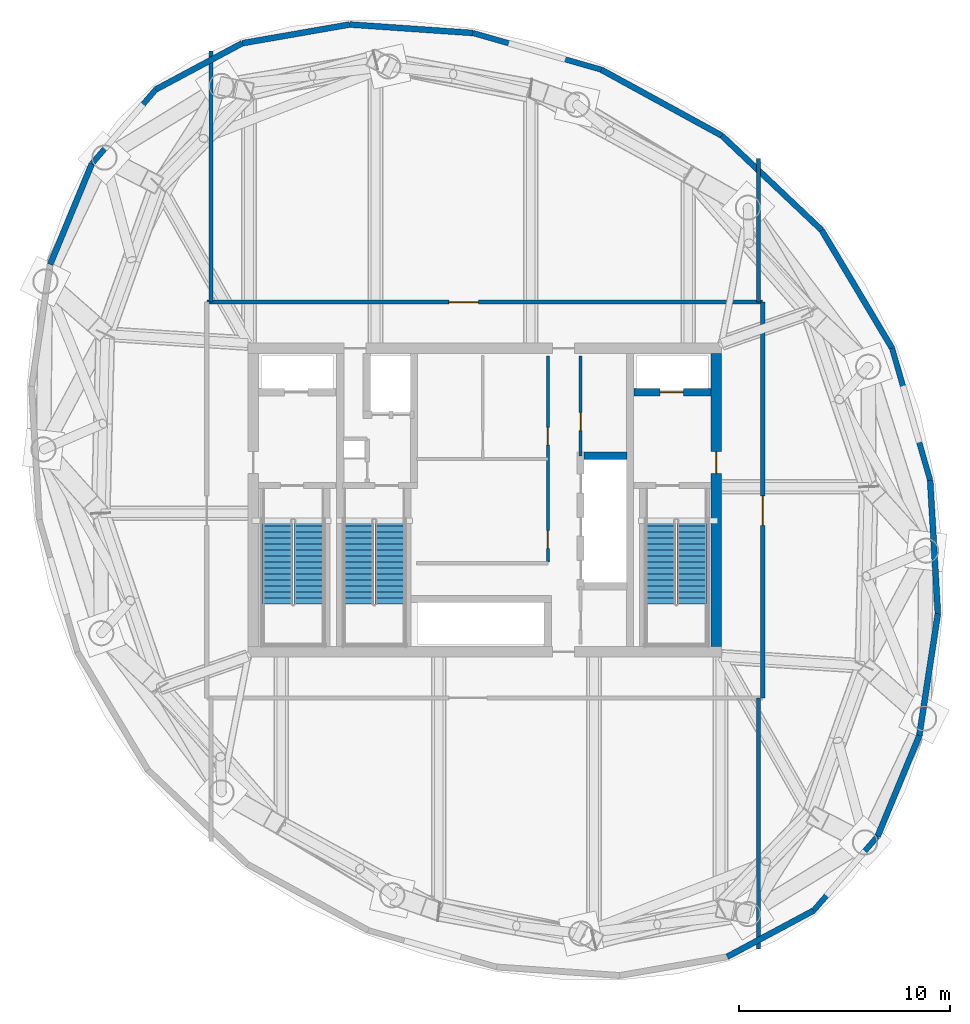
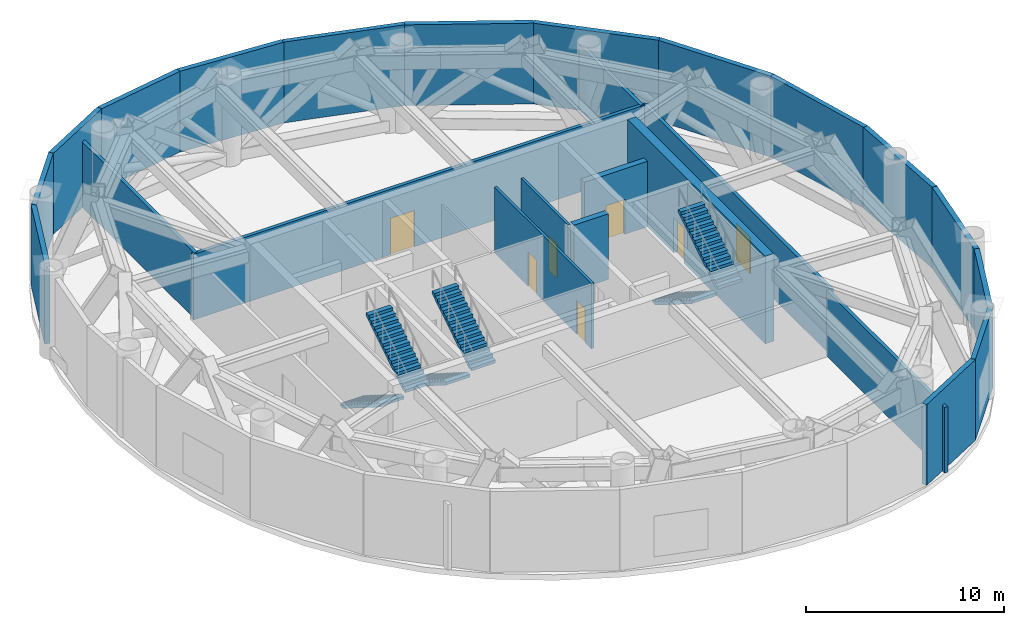
# One storey, part 6 of 9: 25 walls, 7 doors, 6 stair flights, 7 openings, 3 elements without a shape of their own.
"""IFC4 building model written with IfcOpenShell, lengths in metres."""

from ifc_helpers import new_model, si_unit, direction, frame, frame_2d, origin, place, context, subcontext, project, spatial, polyline, rectangle, outline, extrude, material, layer, layer_set, type_object, element, fill, aggregate, save


model = new_model("IFC4")

# Units and contexts
model_context = context("Model", 3, precision=1e-05, world=origin(), true_north=direction((0.0, 1.0)))
body_context = subcontext(model_context, "Body", "Model", "MODEL_VIEW")
ifc_project = project(units=[si_unit("LENGTHUNIT", "METRE"), si_unit("AREAUNIT", "SQUARE_METRE"), si_unit("VOLUMEUNIT", "CUBIC_METRE"), si_unit("PLANEANGLEUNIT", "RADIAN"), si_unit("MASSUNIT", "GRAM", prefix="KILO")], contexts=[model_context])

# Site, building, storey
site_placement = place(None, origin())
site = spatial("IfcSite", under=ifc_project, at=site_placement, CompositionType="ELEMENT")
building_placement = place(site_placement, origin())
building = spatial("IfcBuilding", under=site, at=building_placement, Name="Bramvorn Convention Spire", CompositionType="ELEMENT")
storey_placement = place(building_placement, frame((0.0, 0.0, 236.64990234375)))
storey = spatial("IfcBuildingStorey", under=building, at=storey_placement, Name="L60", CompositionType="ELEMENT", Elevation=236.64990234375)

# Wall, opening, door
ifc_material_1 = material(Name="Concrete C50/60", Category="concrete")
ifc_layer_1 = layer(ifc_material_1, 0.5)
ifc_layer_set_1 = layer_set([ifc_layer_1], Name="Concrete C50/60 - WL-CORE-500")
wall_type_1 = type_object("IfcWallType", Name="WL-CORE-500", PredefinedType="SHEAR", material=ifc_layer_set_1)
wall_1_placement = place(storey_placement, frame((49.0, 19.050048828125, 0.0), z_axis=(0.0, 0.0, 1.0), x_axis=(0.0, 1.0, 0.0)))
wall_1 = element("IfcWall", 1, at=wall_1_placement, inside=storey, type_object=wall_type_1, Name="L60 East RC core shear wall", PredefinedType="SHEAR", context=body_context, shape_type="SweptSolid", body=[
    extrude(rectangle(XDim=13.89990234375, YDim=0.5, at=frame_2d((6.949951171875, 0.0))), origin(), (0.0, 0.0, 1.0), 5.400146484375),
])
opening_1_placement = place(wall_1_placement, frame((8.199951171875, 0.0, 0.0)))
opening_1 = element("IfcOpeningElement", 2, at=opening_1_placement, cuts=wall_1, Name="Opening DL-105", PredefinedType="OPENING", context=body_context, shape_type="SweptSolid", body=[
    extrude(rectangle(XDim=1.050048828125, YDim=2.14990234375, at=frame_2d((0.52490234375, 1.074951171875))), frame((0.0, 0.260009765625, 0.0), z_axis=(0.0, -1.0, 0.0), x_axis=(1.0, 0.0, 0.0)), (0.0, 0.0, 1.0), 0.52001953125),
])
ifc_material_2 = material(Name="Smoke-Sealed Fire Lobby Timber-Core Door", Category="wood")
door_type_1 = type_object("IfcDoorType", Name="DR-LOBBY-1050", OperationType="NOTDEFINED", PredefinedType="DOOR", material=ifc_material_2)
door_1_placement = place(opening_1_placement, origin())
door_1 = element("IfcDoor", 3, at=door_1_placement, inside=storey, type_object=door_type_1, Name="L60 East Firefighting Lobby corridor door", OperationType="SINGLE_SWING_LEFT", OverallHeight=2.14990234375, OverallWidth=1.050048828125, PredefinedType="DOOR", context=body_context, shape_type="SweptSolid", body=[
    extrude(rectangle(XDim=1.050048828125, YDim=2.14990234375, at=frame_2d((0.52490234375, 1.074951171875))), frame((0.0, 0.02490234375, 0.0), z_axis=(0.0, -1.0, 0.0), x_axis=(1.0, 0.0, 0.0)), (0.0, 0.0, 1.0), 0.050048828125),
])
fill(opening_1, door_1)

ifc_layer_2 = layer(ifc_material_1, 0.35009765625)
ifc_layer_set_2 = layer_set([ifc_layer_2], Name="Concrete C50/60 - WL-CORE-INT-350")
wall_type_2 = type_object("IfcWallType", Name="WL-CORE-INT-350", PredefinedType="SHEAR", material=ifc_layer_set_2)
wall_2_placement = place(storey_placement, frame((45.080078125, 31.1201171875, 0.0), z_axis=(0.0, 0.0, 1.0), x_axis=(1.0, 0.0, 0.0)))
wall_2 = element("IfcWall", 4, at=wall_2_placement, inside=storey, type_object=wall_type_2, Name="L60 FE2 shaft front wall", PredefinedType="SHEAR", context=body_context, shape_type="SweptSolid", body=[
    extrude(rectangle(XDim=3.669921875, YDim=0.35009765625, at=frame_2d((1.8349609375, 0.0))), origin(), (0.0, 0.0, 1.0), 4.0400390625),
])
opening_2_placement = place(wall_2_placement, frame((1.25, 0.0, 0.0)))
opening_2 = element("IfcOpeningElement", 5, at=opening_2_placement, cuts=wall_2, Name="Opening LD-110", PredefinedType="OPENING", context=body_context, shape_type="SweptSolid", body=[
    extrude(rectangle(XDim=1.10009765625, YDim=2.14990234375, at=frame_2d((0.550048828125, 1.074951171875))), frame((0.0, 0.18505859375, 0.0), z_axis=(0.0, -1.0, 0.0), x_axis=(1.0, 0.0, 0.0)), (0.0, 0.0, 1.0), 0.3701171875),
])
ifc_material_3 = material(Name="Firefighting & Service Lift Sliding Landing Door", Category="steel")
door_type_2 = type_object("IfcDoorType", Name="DR-LIFT-LD-1100", OperationType="NOTDEFINED", PredefinedType="DOOR", material=ifc_material_3)
door_2_placement = place(opening_2_placement, origin())
door_2 = element("IfcDoor", 6, at=door_2_placement, inside=storey, type_object=door_type_2, Name="L60 Lift FE2 Sliding Landing Door", OperationType="SLIDING_TO_LEFT", OverallHeight=2.14990234375, OverallWidth=1.10009765625, PredefinedType="DOOR", context=body_context, shape_type="SweptSolid", body=[
    extrude(rectangle(XDim=1.10009765625, YDim=2.14990234375, at=frame_2d((0.550048828125, 1.074951171875))), frame((0.0, 0.02490234375, 0.0), z_axis=(0.0, -1.0, 0.0), x_axis=(1.0, 0.0, 0.0)), (0.0, 0.0, 1.0), 0.050048828125),
])
fill(opening_2, door_2)

# Walls
wall_3_placement = place(storey_placement, frame((42.719970703125, 28.10009765625, 0.0), z_axis=(0.0, 0.0, 1.0), x_axis=(1.0, 0.0, 0.0)))
element("IfcWall", 7, at=wall_3_placement, inside=storey, type_object=wall_type_2, Name="L60 High-rise lift bank north wall", PredefinedType="SHEAR", context=body_context, shape_type="SweptSolid", body=[
    extrude(rectangle(XDim=2.030029296875, YDim=0.35009765625, at=frame_2d((1.01513671875, 0.0))), origin(), (0.0, 0.0, 1.0), 4.0400390625),
])
ifc_material_4 = material(Name="Precast Concrete C40/50 with Bronze Terracotta Rainscreen", Category="masonry")
ifc_layer_3 = layer(ifc_material_4, 0.300048828125)
ifc_layer_set_3 = layer_set([ifc_layer_3], Name="Precast Concrete C40/50 with Bronze Terracotta Rainscreen - WL-EXT-BRONZE-300")
wall_type_3 = type_object("IfcWallType", Name="WL-EXT-BRONZE-300", PredefinedType="SOLIDWALL", material=ifc_layer_set_3)
wall_4_placement = place(storey_placement, frame((58.635986328125, 14.81298828125, 0.0), z_axis=(0.0, 0.0, 1.0), x_axis=(-0.382579387881, -0.923922622284, 0.0)))
element("IfcWall", 8, at=wall_4_placement, inside=storey, type_object=wall_type_3, Name="L60 expressed bronze Gothic lancet pier wall 02", PredefinedType="SOLIDWALL", context=body_context, shape_type="SweptSolid", body=[
    extrude(rectangle(XDim=5.17919921875, YDim=0.280029296875, at=frame_2d((2.589599609375, 0.0))), origin(), (0.0, 0.0, 1.0), 4.97998046875),
])
wall_5_placement = place(storey_placement, frame((59.51806640625, 20.606201171875, 0.0), z_axis=(0.0, 0.0, 1.0), x_axis=(-0.150526090897, -0.988606036781, 0.0)))
element("IfcWall", 9, at=wall_5_placement, inside=storey, type_object=wall_type_3, Name="L60 expressed bronze Gothic lancet pier wall 03", PredefinedType="SOLIDWALL", context=body_context, shape_type="SweptSolid", body=[
    extrude(rectangle(XDim=5.85986328125, YDim=0.280029296875, at=frame_2d((2.929931640625, 0.0))), origin(), (0.0, 0.0, 1.0), 4.97998046875),
])
wall_6_placement = place(storey_placement, frame((59.150390625, 26.940673828125, 0.0), z_axis=(0.0, 0.0, 1.0), x_axis=(0.057946099127, -0.998319713116, 0.0)))
element("IfcWall", 10, at=wall_6_placement, inside=storey, type_object=wall_type_3, Name="L60 expressed bronze Gothic lancet pier wall 04", PredefinedType="SOLIDWALL", context=body_context, shape_type="SweptSolid", body=[
    extrude(rectangle(XDim=6.34521484375, YDim=0.280029296875, at=frame_2d((3.172607421875, 0.0))), origin(), (0.0, 0.0, 1.0), 4.97998046875),
])
wall_7_placement = place(storey_placement, frame((53.99755859375, 38.81640625, 0.0), z_axis=(0.0, 0.0, 1.0), x_axis=(0.512337833972, -0.858783991397, 0.0)))
element("IfcWall", 11, at=wall_7_placement, inside=storey, type_object=wall_type_3, Name="L60 expressed bronze Gothic lancet pier wall 06", PredefinedType="SOLIDWALL", context=body_context, shape_type="SweptSolid", body=[
    extrude(rectangle(XDim=6.52685546875, YDim=0.280029296875, at=frame_2d((3.263427734375, 0.0))), origin(), (0.0, 0.0, 1.0), 4.97998046875),
])
wall_8_placement = place(storey_placement, frame((49.256591796875, 43.302490234375, 0.0), z_axis=(0.0, 0.0, 1.0), x_axis=(0.726362423444, -0.687311886852, 0.0)))
element("IfcWall", 12, at=wall_8_placement, inside=storey, type_object=wall_type_3, Name="L60 expressed bronze Gothic lancet pier wall 07", PredefinedType="SOLIDWALL", context=body_context, shape_type="SweptSolid", body=[
    extrude(rectangle(XDim=6.527099609375, YDim=0.280029296875, at=frame_2d((3.263671875, 0.0))), origin(), (0.0, 0.0, 1.0), 4.97998046875),
])
wall_9_placement = place(storey_placement, frame((43.531982421875, 46.435791015625, 0.0), z_axis=(0.0, 0.0, 1.0), x_axis=(0.877199815451, -0.480125487526, 0.0)))
element("IfcWall", 13, at=wall_9_placement, inside=storey, type_object=wall_type_3, Name="L60 expressed bronze Gothic lancet pier wall 08", PredefinedType="SOLIDWALL", context=body_context, shape_type="SweptSolid", body=[
    extrude(rectangle(XDim=6.526123046875, YDim=0.280029296875, at=frame_2d((3.26318359375, 0.0))), origin(), (0.0, 0.0, 1.0), 4.97998046875),
])
wall_10_placement = place(storey_placement, frame((31.583984375, 48.57958984375, 0.0), z_axis=(0.0, 0.0, 1.0), x_axis=(0.997631610149, -0.068783504066, 0.0)))
element("IfcWall", 14, at=wall_10_placement, inside=storey, type_object=wall_type_3, Name="L60 expressed bronze Gothic lancet pier wall 10", PredefinedType="SOLIDWALL", context=body_context, shape_type="SweptSolid", body=[
    extrude(rectangle(XDim=5.860107421875, YDim=0.280029296875, at=frame_2d((2.93017578125, 0.0))), origin(), (0.0, 0.0, 1.0), 4.97998046875),
])
wall_11_placement = place(storey_placement, frame((26.481689453125, 47.689453125, 0.0), z_axis=(0.0, 0.0, 1.0), x_axis=(0.985120975094, 0.171862341509, 0.0)))
element("IfcWall", 15, at=wall_11_placement, inside=storey, type_object=wall_type_3, Name="L60 expressed bronze Gothic lancet pier wall 11", PredefinedType="SOLIDWALL", context=body_context, shape_type="SweptSolid", body=[
    extrude(rectangle(XDim=5.179443359375, YDim=0.280029296875, at=frame_2d((2.58984375, 0.0))), origin(), (0.0, 0.0, 1.0), 4.97998046875),
])
wall_12_placement = place(storey_placement, frame((22.38134765625, 45.4951171875, 0.0), z_axis=(0.0, 0.0, 1.0), x_axis=(0.88168357973, 0.471841144067, 0.0)))
element("IfcWall", 16, at=wall_12_placement, inside=storey, type_object=wall_type_3, Name="L60 expressed bronze Gothic lancet pier wall 12", PredefinedType="SOLIDWALL", context=body_context, shape_type="SweptSolid", body=[
    extrude(rectangle(XDim=4.650634765625, YDim=0.280029296875, at=frame_2d((2.3251953125, 0.0))), origin(), (0.0, 0.0, 1.0), 4.97998046875),
])
wall_13_placement = place(storey_placement, frame((17.364013671875, 37.18701171875, 0.0), z_axis=(0.0, 0.0, 1.0), x_axis=(0.382579387881, 0.923922622284, 0.0)))
element("IfcWall", 17, at=wall_13_placement, inside=storey, type_object=wall_type_3, Name="L60 expressed bronze Gothic lancet pier wall 14", PredefinedType="SOLIDWALL", context=body_context, shape_type="SweptSolid", body=[
    extrude(rectangle(XDim=5.17919921875, YDim=0.280029296875, at=frame_2d((2.589599609375, 0.0))), origin(), (0.0, 0.0, 1.0), 4.97998046875),
])
wall_14_placement = place(storey_placement, frame((53.61865234375, 6.5048828125, 0.0), z_axis=(0.0, 0.0, 1.0), x_axis=(-0.88168357973, -0.471841144067, 0.0)))
element("IfcWall", 18, at=wall_14_placement, inside=storey, type_object=wall_type_3, Name="L60 expressed bronze Gothic lancet pier wall 24", PredefinedType="SOLIDWALL", context=body_context, shape_type="SweptSolid", body=[
    extrude(rectangle(XDim=4.650634765625, YDim=0.280029296875, at=frame_2d((2.3251953125, 0.0))), origin(), (0.0, 0.0, 1.0), 4.97998046875),
])
ifc_material_5 = material(Name="Precast Concrete C40/50 Insulated Terrace Wall", Category="concrete")
ifc_layer_4 = layer(ifc_material_5, 0.280029296875)
ifc_layer_set_4 = layer_set([ifc_layer_4], Name="Precast Concrete C40/50 Insulated Terrace Wall - WL-EXT-TERR-280")
wall_type_4 = type_object("IfcWallType", Name="WL-EXT-TERR-280", PredefinedType="SOLIDWALL", material=ifc_layer_set_4)
wall_15_placement = place(storey_placement, frame((56.654541015625, 10.02783203125, 0.0), z_axis=(0.0, 0.0, 1.0), x_axis=(-0.65279941613, -0.757530806173, 0.0)))
element("IfcWall", 19, at=wall_15_placement, inside=storey, type_object=wall_type_4, Name="L60 plant floor acoustic louvre breast wall 01", PredefinedType="SOLIDWALL", context=body_context, shape_type="SweptSolid", body=[
    extrude(rectangle(XDim=4.650634765625, YDim=0.260009765625, at=frame_2d((2.3251953125, 0.0))), origin(), (0.0, 0.0, 1.0), 4.97998046875),
])
wall_16_placement = place(storey_placement, frame((57.341552734375, 33.211181640625, 0.0), z_axis=(0.0, 0.0, 1.0), x_axis=(0.277165964475, -0.960822058519, 0.0)))
element("IfcWall", 20, at=wall_16_placement, inside=storey, type_object=wall_type_4, Name="L60 plant floor acoustic louvre breast wall 05", PredefinedType="SOLIDWALL", context=body_context, shape_type="SweptSolid", body=[
    extrude(rectangle(XDim=6.526123046875, YDim=0.260009765625, at=frame_2d((3.26318359375, 0.0))), origin(), (0.0, 0.0, 1.0), 4.97998046875),
])
wall_17_placement = place(storey_placement, frame((37.43017578125, 48.176513671875, 0.0), z_axis=(0.0, 0.0, 1.0), x_axis=(0.961634216747, -0.274334892386, 0.0)))
element("IfcWall", 21, at=wall_17_placement, inside=storey, type_object=wall_type_4, Name="L60 plant floor acoustic louvre breast wall 09", PredefinedType="SOLIDWALL", context=body_context, shape_type="SweptSolid", body=[
    extrude(rectangle(XDim=6.34521484375, YDim=0.260009765625, at=frame_2d((3.172607421875, 0.0))), origin(), (0.0, 0.0, 1.0), 4.97998046875),
])
wall_18_placement = place(storey_placement, frame((19.345458984375, 41.97216796875, 0.0), z_axis=(0.0, 0.0, 1.0), x_axis=(0.65279941613, 0.757530806173, 0.0)))
element("IfcWall", 22, at=wall_18_placement, inside=storey, type_object=wall_type_4, Name="L60 plant floor acoustic louvre breast wall 13", PredefinedType="SOLIDWALL", context=body_context, shape_type="SweptSolid", body=[
    extrude(rectangle(XDim=4.650634765625, YDim=0.260009765625, at=frame_2d((2.3251953125, 0.0))), origin(), (0.0, 0.0, 1.0), 4.97998046875),
])

# Wall, openings, doors
ifc_material_6 = material(Name="Acoustic Metal-Stud Tenant/Corridor Partition", Category="gypsum")
ifc_layer_5 = layer(ifc_material_6, 0.14990234375)
ifc_layer_set_5 = layer_set([ifc_layer_5], Name="Acoustic Metal-Stud Tenant/Corridor Partition - WL-PART-150")
wall_type_5 = type_object("IfcWallType", Name="WL-PART-150", PredefinedType="PARTITIONING", material=ifc_layer_set_5)
wall_19_placement = place(storey_placement, frame((41.0, 23.050048828125, 0.0), z_axis=(0.0, 0.0, 1.0), x_axis=(0.0, 1.0, 0.0)))
wall_19 = element("IfcWall", 23, at=wall_19_placement, inside=storey, type_object=wall_type_5, Name="L60 Core room east wall", PredefinedType="PARTITIONING", context=body_context, shape_type="SweptSolid", body=[
    extrude(rectangle(XDim=9.800048828125, YDim=0.14990234375, at=frame_2d((4.89990234375, 0.0))), origin(), (0.0, 0.0, 1.0), 4.0400390625),
])
opening_3_placement = place(wall_19_placement, frame((0.64990234375, 0.0, 0.0)))
opening_3 = element("IfcOpeningElement", 24, at=opening_3_placement, cuts=wall_19, Name="Opening DC-085", PredefinedType="OPENING", context=body_context, shape_type="SweptSolid", body=[
    extrude(rectangle(XDim=0.85009765625, YDim=2.10009765625, at=frame_2d((0.425048828125, 1.050048828125))), frame((0.0, 0.0849609375, 0.0), z_axis=(0.0, -1.0, 0.0), x_axis=(1.0, 0.0, 0.0)), (0.0, 0.0, 1.0), 0.169921875),
])
opening_4_placement = place(wall_19_placement, frame((5.550048828125, 0.0, 0.0)))
opening_4 = element("IfcOpeningElement", 25, at=opening_4_placement, cuts=wall_19, Name="Opening DC-085", PredefinedType="OPENING", context=body_context, shape_type="SweptSolid", body=[
    extrude(rectangle(XDim=0.85009765625, YDim=2.10009765625, at=frame_2d((0.425048828125, 1.050048828125))), frame((0.0, 0.0849609375, 0.0), z_axis=(0.0, -1.0, 0.0), x_axis=(1.0, 0.0, 0.0)), (0.0, 0.0, 1.0), 0.169921875),
])
ifc_material_7 = material(Name="Fire-Rated Core Washroom & IDF Door", Category="wood")
door_type_3 = type_object("IfcDoorType", Name="DR-CORE-850", OperationType="NOTDEFINED", PredefinedType="DOOR", material=ifc_material_7)
door_3_placement = place(opening_3_placement, origin())
door_3 = element("IfcDoor", 26, at=door_3_placement, inside=storey, type_object=door_type_3, Name="L60 Core room 1 door", OperationType="SINGLE_SWING_LEFT", OverallHeight=2.10009765625, OverallWidth=0.85009765625, PredefinedType="DOOR", context=body_context, shape_type="SweptSolid", body=[
    extrude(rectangle(XDim=0.85009765625, YDim=2.10009765625, at=frame_2d((0.425048828125, 1.050048828125))), frame((0.0, 0.02490234375, 0.0), z_axis=(0.0, -1.0, 0.0), x_axis=(1.0, 0.0, 0.0)), (0.0, 0.0, 1.0), 0.050048828125),
])
fill(opening_3, door_3)
door_4_placement = place(opening_4_placement, origin())
door_4 = element("IfcDoor", 27, at=door_4_placement, inside=storey, type_object=door_type_3, Name="L60 Core room 2 door", OperationType="SINGLE_SWING_LEFT", OverallHeight=2.10009765625, OverallWidth=0.85009765625, PredefinedType="DOOR", context=body_context, shape_type="SweptSolid", body=[
    extrude(rectangle(XDim=0.85009765625, YDim=2.10009765625, at=frame_2d((0.425048828125, 1.050048828125))), frame((0.0, 0.02490234375, 0.0), z_axis=(0.0, -1.0, 0.0), x_axis=(1.0, 0.0, 0.0)), (0.0, 0.0, 1.0), 0.050048828125),
])
fill(opening_4, door_4)

# Wall, opening, door
wall_20_placement = place(storey_placement, frame((42.550048828125, 28.10009765625, 0.0), z_axis=(0.0, 0.0, 1.0), x_axis=(0.0, 1.0, 0.0)))
wall_20 = element("IfcWall", 28, at=wall_20_placement, inside=storey, type_object=wall_type_5, Name="L60 Core NE store wall", PredefinedType="PARTITIONING", context=body_context, shape_type="SweptSolid", body=[
    extrude(rectangle(XDim=4.75, YDim=0.14990234375, at=frame_2d((2.375, 0.0))), origin(), (0.0, 0.0, 1.0), 4.0400390625),
])
opening_5_placement = place(wall_20_placement, frame((1.199951171875, 0.0, 0.0)))
opening_5 = element("IfcOpeningElement", 29, at=opening_5_placement, cuts=wall_20, Name="Opening DC-085", PredefinedType="OPENING", context=body_context, shape_type="SweptSolid", body=[
    extrude(rectangle(XDim=0.85009765625, YDim=2.10009765625, at=frame_2d((0.425048828125, 1.050048828125))), frame((0.0, 0.0849609375, 0.0), z_axis=(0.0, -1.0, 0.0), x_axis=(1.0, 0.0, 0.0)), (0.0, 0.0, 1.0), 0.169921875),
])
door_5_placement = place(opening_5_placement, origin())
door_5 = element("IfcDoor", 30, at=door_5_placement, inside=storey, type_object=door_type_3, Name="L60 Core NE store door", OperationType="SINGLE_SWING_LEFT", OverallHeight=2.10009765625, OverallWidth=0.85009765625, PredefinedType="DOOR", context=body_context, shape_type="SweptSolid", body=[
    extrude(rectangle(XDim=0.85009765625, YDim=2.10009765625, at=frame_2d((0.425048828125, 1.050048828125))), frame((0.0, 0.02490234375, 0.0), z_axis=(0.0, -1.0, 0.0), x_axis=(1.0, 0.0, 0.0)), (0.0, 0.0, 1.0), 0.050048828125),
])
fill(opening_5, door_5)

ifc_material_8 = material(Name="Gypsum Shaftwall & Rockwool Core Partition", Category="gypsum")
ifc_layer_6 = layer(ifc_material_8, 0.199951171875)
ifc_layer_set_6 = layer_set([ifc_layer_6], Name="Gypsum Shaftwall & Rockwool Core Partition - WL-PART-200-FR")
wall_type_6 = type_object("IfcWallType", Name="WL-PART-200-FR", PredefinedType="PARTITIONING", material=ifc_layer_set_6)
wall_21_placement = place(storey_placement, frame((24.800048828125, 35.39990234375, 0.0), z_axis=(0.0, 0.0, 1.0), x_axis=(1.0, 0.0, 0.0)))
wall_21 = element("IfcWall", 31, at=wall_21_placement, inside=storey, type_object=wall_type_6, Name="L60 Plant corridor north wall", PredefinedType="PARTITIONING", context=body_context, shape_type="SweptSolid", body=[
    extrude(rectangle(XDim=26.39990234375, YDim=0.199951171875, at=frame_2d((13.199951171875, 0.0))), origin(), (0.0, 0.0, 1.0), 4.0400390625),
])
opening_6_placement = place(wall_21_placement, frame((11.5, 0.0, 0.0)))
opening_6 = element("IfcOpeningElement", 32, at=opening_6_placement, cuts=wall_21, Name="Opening DP-140", PredefinedType="OPENING", context=body_context, shape_type="SweptSolid", body=[
    extrude(rectangle(XDim=1.39990234375, YDim=2.25, at=frame_2d((0.699951171875, 1.125))), frame((0.0, 0.10986328125, 0.0), z_axis=(0.0, -1.0, 0.0), x_axis=(1.0, 0.0, 0.0)), (0.0, 0.0, 1.0), 0.219970703125),
])
ifc_material_9 = material(Name="Heavy-Duty Acoustic Louvre Plant Room Door", Category="steel")
door_type_4 = type_object("IfcDoorType", Name="DR-PLANT-1400", OperationType="NOTDEFINED", PredefinedType="DOOR", material=ifc_material_9)
door_6_placement = place(opening_6_placement, origin())
door_6 = element("IfcDoor", 33, at=door_6_placement, inside=storey, type_object=door_type_4, Name="L60 Dedicated Outdoor Air & ERV Plant door", OperationType="DOUBLE_DOOR_SINGLE_SWING", OverallHeight=2.25, OverallWidth=1.39990234375, PredefinedType="DOOR", context=body_context, shape_type="SweptSolid", body=[
    extrude(rectangle(XDim=1.39990234375, YDim=2.25, at=frame_2d((0.699951171875, 1.125))), frame((0.0, 0.02490234375, 0.0), z_axis=(0.0, -1.0, 0.0), x_axis=(1.0, 0.0, 0.0)), (0.0, 0.0, 1.0), 0.050048828125),
])
fill(opening_6, door_6)

wall_22_placement = place(storey_placement, frame((51.199951171875, 16.60009765625, 0.0), z_axis=(0.0, 0.0, 1.0), x_axis=(0.0, 1.0, 0.0)))
wall_22 = element("IfcWall", 34, at=wall_22_placement, inside=storey, type_object=wall_type_6, Name="L60 Plant corridor east wall", PredefinedType="PARTITIONING", context=body_context, shape_type="SweptSolid", body=[
    extrude(rectangle(XDim=18.7998046875, YDim=0.199951171875, at=frame_2d((9.39990234375, 0.0))), origin(), (0.0, 0.0, 1.0), 4.0400390625),
])
opening_7_placement = place(wall_22_placement, frame((8.199951171875, 0.0, 0.0)))
opening_7 = element("IfcOpeningElement", 35, at=opening_7_placement, cuts=wall_22, Name="Opening DP-140", PredefinedType="OPENING", context=body_context, shape_type="SweptSolid", body=[
    extrude(rectangle(XDim=1.39990234375, YDim=2.25, at=frame_2d((0.699951171875, 1.125))), frame((0.0, 0.10986328125, 0.0), z_axis=(0.0, -1.0, 0.0), x_axis=(1.0, 0.0, 0.0)), (0.0, 0.0, 1.0), 0.219970703125),
])
door_7_placement = place(opening_7_placement, origin())
door_7 = element("IfcDoor", 36, at=door_7_placement, inside=storey, type_object=door_type_4, Name="L60 High-Rise Electrical Substation & UPS door", OperationType="DOUBLE_DOOR_SINGLE_SWING", OverallHeight=2.25, OverallWidth=1.39990234375, PredefinedType="DOOR", context=body_context, shape_type="SweptSolid", body=[
    extrude(rectangle(XDim=1.39990234375, YDim=2.25, at=frame_2d((0.699951171875, 1.125))), frame((0.0, 0.02490234375, 0.0), z_axis=(0.0, -1.0, 0.0), x_axis=(1.0, 0.0, 0.0)), (0.0, 0.0, 1.0), 0.050048828125),
])
fill(opening_7, door_7)

# Walls
for number, where, z_axis, x_axis, name in (
    (37, (25.0, 35.39990234375, 0.0), (0.0, 0.0, 1.0), (0.0, 1.0, 0.0), "L60 Compartment fire wall"),
    (38, (51.0, 4.673828125, 0.0), (0.0, 0.0, 1.0), (0.0, 1.0, 0.0), "L60 Compartment fire wall"),
):
    element("IfcWall", number, at=place(storey_placement, frame(where, z_axis=z_axis, x_axis=x_axis)), inside=storey, type_object=wall_type_6, Name=name, PredefinedType="PARTITIONING", context=body_context, shape_type="SweptSolid", body=[
        extrude(rectangle(XDim=11.92626953125, YDim=0.199951171875, at=frame_2d((5.963134765625, 0.0))), origin(), (0.0, 0.0, 1.0), 4.0400390625),
    ])
wall_23_placement = place(storey_placement, frame((51.0, 35.39990234375, 0.0), z_axis=(0.0, 0.0, 1.0), x_axis=(0.0, 1.0, 0.0)))
element("IfcWall", 39, at=wall_23_placement, inside=storey, type_object=wall_type_6, Name="L60 Compartment fire wall", PredefinedType="PARTITIONING", context=body_context, shape_type="SweptSolid", body=[
    extrude(rectangle(XDim=6.81103515625, YDim=0.199951171875, at=frame_2d((3.405517578125, 0.0))), origin(), (0.0, 0.0, 1.0), 4.0400390625),
])

# Stair, stair flights
ifc_material_10 = material(Name="Concrete C40/50 Precast Stair", Category="concrete")
stair_type = type_object("IfcStairType", Name="ST-TOWER-1550", PredefinedType="HALF_TURN_STAIR", material=ifc_material_10)
stair_1_placement = place(storey_placement, origin())
stair_1 = element("IfcStair", 40, at=stair_1_placement, inside=storey, type_object=stair_type, Name="L60 Protected Exit Stair ST1", PredefinedType="HALF_TURN_STAIR")
ifc_material_11 = material(Name="Concrete C40/50 Precast Stair Flight", Category="concrete")
stair_flight_type = type_object("IfcStairFlightType", Name="STF-TOWER-1550", PredefinedType="STRAIGHT", material=ifc_material_11)
stair_flight_1_placement = place(storey_placement, frame((28.155029296875, 25.050048828125, 0.0), z_axis=(0.0, 0.0, 1.0), x_axis=(0.0, -1.0, 0.0)))
stair_flight_1 = element("IfcStairFlight", 41, at=stair_flight_1_placement, type_object=stair_flight_type, Name="ST1 flight 1", NumberOfRisers=15, NumberOfTreads=14, PredefinedType="STRAIGHT", RiserHeight=0.18, TreadLength=0.285, context=body_context, shape_type="SweptSolid", body=[
    extrude(outline(polyline([(0.0, 0.0), (0.0, 0.179931640625), (0.284912109375, 0.179931640625), (0.284912109375, 0.360107421875), (0.570068359375, 0.360107421875), (0.570068359375, 0.5400390625), (0.85498046875, 0.5400390625), (0.85498046875, 0.719970703125), (1.139892578125, 0.719970703125), (1.139892578125, 0.89990234375), (1.425048828125, 0.89990234375), (1.425048828125, 1.080078125), (1.7099609375, 1.080078125), (1.7099609375, 1.260009765625), (1.9951171875, 1.260009765625), (1.9951171875, 1.43994140625), (2.280029296875, 1.43994140625), (2.280029296875, 1.6201171875), (2.56494140625, 1.6201171875), (2.56494140625, 1.800048828125), (2.85009765625, 1.800048828125), (2.85009765625, 1.97998046875), (3.135009765625, 1.97998046875), (3.135009765625, 2.159912109375), (3.419921875, 2.159912109375), (3.419921875, 2.340087890625), (3.705078125, 2.340087890625), (3.705078125, 2.52001953125), (3.989990234375, 2.52001953125), (3.989990234375, 2.699951171875), (3.989990234375, 2.3427734375), (0.28076171875, 0.0), (0.0, 0.0)])), frame((0.0, 0.705078125, 0.0), z_axis=(0.0, -1.0, 0.0), x_axis=(1.0, 0.0, 0.0)), (0.0, 0.0, 1.0), 1.409912109375),
])
stair_flight_2_placement = place(storey_placement, frame((29.64501953125, 21.06005859375, 2.7001953125), z_axis=(0.0, 0.0, 1.0), x_axis=(0.0, 1.0, 0.0)))
stair_flight_2 = element("IfcStairFlight", 42, at=stair_flight_2_placement, type_object=stair_flight_type, Name="ST1 flight 2", NumberOfRisers=15, NumberOfTreads=14, PredefinedType="STRAIGHT", RiserHeight=0.18, TreadLength=0.285, context=body_context, shape_type="SweptSolid", body=[
    extrude(outline(polyline([(0.0, 0.0), (0.0, 0.179931640625), (0.284912109375, 0.179931640625), (0.284912109375, 0.360107421875), (0.570068359375, 0.360107421875), (0.570068359375, 0.5400390625), (0.85498046875, 0.5400390625), (0.85498046875, 0.719970703125), (1.139892578125, 0.719970703125), (1.139892578125, 0.89990234375), (1.425048828125, 0.89990234375), (1.425048828125, 1.080078125), (1.7099609375, 1.080078125), (1.7099609375, 1.260009765625), (1.9951171875, 1.260009765625), (1.9951171875, 1.43994140625), (2.280029296875, 1.43994140625), (2.280029296875, 1.6201171875), (2.56494140625, 1.6201171875), (2.56494140625, 1.800048828125), (2.85009765625, 1.800048828125), (2.85009765625, 1.97998046875), (3.135009765625, 1.97998046875), (3.135009765625, 2.159912109375), (3.419921875, 2.159912109375), (3.419921875, 2.340087890625), (3.705078125, 2.340087890625), (3.705078125, 2.52001953125), (3.989990234375, 2.52001953125), (3.989990234375, 2.699951171875), (3.989990234375, 2.3427734375), (0.28076171875, 0.0), (0.0, 0.0)])), frame((0.0, 0.705078125, 0.0), z_axis=(0.0, -1.0, 0.0), x_axis=(1.0, 0.0, 0.0)), (0.0, 0.0, 1.0), 1.409912109375),
])
aggregate(stair_1, [stair_flight_1, stair_flight_2])

stair_2_placement = place(storey_placement, origin())
stair_2 = element("IfcStair", 43, at=stair_2_placement, inside=storey, type_object=stair_type, Name="L60 Protected Exit Stair ST2", PredefinedType="HALF_TURN_STAIR")
stair_flight_3_placement = place(storey_placement, frame((46.35498046875, 25.050048828125, 0.0), z_axis=(0.0, 0.0, 1.0), x_axis=(0.0, -1.0, 0.0)))
stair_flight_3 = element("IfcStairFlight", 44, at=stair_flight_3_placement, type_object=stair_flight_type, Name="ST2 flight 1", NumberOfRisers=15, NumberOfTreads=14, PredefinedType="STRAIGHT", RiserHeight=0.18, TreadLength=0.285, context=body_context, shape_type="SweptSolid", body=[
    extrude(outline(polyline([(0.0, 0.0), (0.0, 0.179931640625), (0.284912109375, 0.179931640625), (0.284912109375, 0.360107421875), (0.570068359375, 0.360107421875), (0.570068359375, 0.5400390625), (0.85498046875, 0.5400390625), (0.85498046875, 0.719970703125), (1.139892578125, 0.719970703125), (1.139892578125, 0.89990234375), (1.425048828125, 0.89990234375), (1.425048828125, 1.080078125), (1.7099609375, 1.080078125), (1.7099609375, 1.260009765625), (1.9951171875, 1.260009765625), (1.9951171875, 1.43994140625), (2.280029296875, 1.43994140625), (2.280029296875, 1.6201171875), (2.56494140625, 1.6201171875), (2.56494140625, 1.800048828125), (2.85009765625, 1.800048828125), (2.85009765625, 1.97998046875), (3.135009765625, 1.97998046875), (3.135009765625, 2.159912109375), (3.419921875, 2.159912109375), (3.419921875, 2.340087890625), (3.705078125, 2.340087890625), (3.705078125, 2.52001953125), (3.989990234375, 2.52001953125), (3.989990234375, 2.699951171875), (3.989990234375, 2.3427734375), (0.28076171875, 0.0), (0.0, 0.0)])), frame((0.0, 0.705078125, 0.0), z_axis=(0.0, -1.0, 0.0), x_axis=(1.0, 0.0, 0.0)), (0.0, 0.0, 1.0), 1.409912109375),
])
stair_flight_4_placement = place(storey_placement, frame((47.844970703125, 21.06005859375, 2.7001953125), z_axis=(0.0, 0.0, 1.0), x_axis=(0.0, 1.0, 0.0)))
stair_flight_4 = element("IfcStairFlight", 45, at=stair_flight_4_placement, type_object=stair_flight_type, Name="ST2 flight 2", NumberOfRisers=15, NumberOfTreads=14, PredefinedType="STRAIGHT", RiserHeight=0.18, TreadLength=0.285, context=body_context, shape_type="SweptSolid", body=[
    extrude(outline(polyline([(0.0, 0.0), (0.0, 0.179931640625), (0.284912109375, 0.179931640625), (0.284912109375, 0.360107421875), (0.570068359375, 0.360107421875), (0.570068359375, 0.5400390625), (0.85498046875, 0.5400390625), (0.85498046875, 0.719970703125), (1.139892578125, 0.719970703125), (1.139892578125, 0.89990234375), (1.425048828125, 0.89990234375), (1.425048828125, 1.080078125), (1.7099609375, 1.080078125), (1.7099609375, 1.260009765625), (1.9951171875, 1.260009765625), (1.9951171875, 1.43994140625), (2.280029296875, 1.43994140625), (2.280029296875, 1.6201171875), (2.56494140625, 1.6201171875), (2.56494140625, 1.800048828125), (2.85009765625, 1.800048828125), (2.85009765625, 1.97998046875), (3.135009765625, 1.97998046875), (3.135009765625, 2.159912109375), (3.419921875, 2.159912109375), (3.419921875, 2.340087890625), (3.705078125, 2.340087890625), (3.705078125, 2.52001953125), (3.989990234375, 2.52001953125), (3.989990234375, 2.699951171875), (3.989990234375, 2.3427734375), (0.28076171875, 0.0), (0.0, 0.0)])), frame((0.0, 0.705078125, 0.0), z_axis=(0.0, -1.0, 0.0), x_axis=(1.0, 0.0, 0.0)), (0.0, 0.0, 1.0), 1.409912109375),
])
aggregate(stair_2, [stair_flight_3, stair_flight_4])

stair_3_placement = place(storey_placement, origin())
stair_3 = element("IfcStair", 46, at=stair_3_placement, inside=storey, type_object=stair_type, Name="L60 Protected Exit Stair ST3", PredefinedType="HALF_TURN_STAIR")
stair_flight_5_placement = place(storey_placement, frame((32.0048828125, 25.050048828125, 0.0), z_axis=(0.0, 0.0, 1.0), x_axis=(0.0, -1.0, 0.0)))
stair_flight_5 = element("IfcStairFlight", 47, at=stair_flight_5_placement, type_object=stair_flight_type, Name="ST3 flight 1", NumberOfRisers=15, NumberOfTreads=14, PredefinedType="STRAIGHT", RiserHeight=0.18, TreadLength=0.285, context=body_context, shape_type="SweptSolid", body=[
    extrude(outline(polyline([(0.0, 0.0), (0.0, 0.179931640625), (0.284912109375, 0.179931640625), (0.284912109375, 0.360107421875), (0.570068359375, 0.360107421875), (0.570068359375, 0.5400390625), (0.85498046875, 0.5400390625), (0.85498046875, 0.719970703125), (1.139892578125, 0.719970703125), (1.139892578125, 0.89990234375), (1.425048828125, 0.89990234375), (1.425048828125, 1.080078125), (1.7099609375, 1.080078125), (1.7099609375, 1.260009765625), (1.9951171875, 1.260009765625), (1.9951171875, 1.43994140625), (2.280029296875, 1.43994140625), (2.280029296875, 1.6201171875), (2.56494140625, 1.6201171875), (2.56494140625, 1.800048828125), (2.85009765625, 1.800048828125), (2.85009765625, 1.97998046875), (3.135009765625, 1.97998046875), (3.135009765625, 2.159912109375), (3.419921875, 2.159912109375), (3.419921875, 2.340087890625), (3.705078125, 2.340087890625), (3.705078125, 2.52001953125), (3.989990234375, 2.52001953125), (3.989990234375, 2.699951171875), (3.989990234375, 2.3427734375), (0.28076171875, 0.0), (0.0, 0.0)])), frame((0.0, 0.705078125, 0.0), z_axis=(0.0, -1.0, 0.0), x_axis=(1.0, 0.0, 0.0)), (0.0, 0.0, 1.0), 1.409912109375),
])
stair_flight_6_placement = place(storey_placement, frame((33.4951171875, 21.06005859375, 2.7001953125), z_axis=(0.0, 0.0, 1.0), x_axis=(0.0, 1.0, 0.0)))
stair_flight_6 = element("IfcStairFlight", 48, at=stair_flight_6_placement, type_object=stair_flight_type, Name="ST3 flight 2", NumberOfRisers=15, NumberOfTreads=14, PredefinedType="STRAIGHT", RiserHeight=0.18, TreadLength=0.285, context=body_context, shape_type="SweptSolid", body=[
    extrude(outline(polyline([(0.0, 0.0), (0.0, 0.179931640625), (0.284912109375, 0.179931640625), (0.284912109375, 0.360107421875), (0.570068359375, 0.360107421875), (0.570068359375, 0.5400390625), (0.85498046875, 0.5400390625), (0.85498046875, 0.719970703125), (1.139892578125, 0.719970703125), (1.139892578125, 0.89990234375), (1.425048828125, 0.89990234375), (1.425048828125, 1.080078125), (1.7099609375, 1.080078125), (1.7099609375, 1.260009765625), (1.9951171875, 1.260009765625), (1.9951171875, 1.43994140625), (2.280029296875, 1.43994140625), (2.280029296875, 1.6201171875), (2.56494140625, 1.6201171875), (2.56494140625, 1.800048828125), (2.85009765625, 1.800048828125), (2.85009765625, 1.97998046875), (3.135009765625, 1.97998046875), (3.135009765625, 2.159912109375), (3.419921875, 2.159912109375), (3.419921875, 2.340087890625), (3.705078125, 2.340087890625), (3.705078125, 2.52001953125), (3.989990234375, 2.52001953125), (3.989990234375, 2.699951171875), (3.989990234375, 2.3427734375), (0.28076171875, 0.0), (0.0, 0.0)])), frame((0.0, 0.705078125, 0.0), z_axis=(0.0, -1.0, 0.0), x_axis=(1.0, 0.0, 0.0)), (0.0, 0.0, 1.0), 1.409912109375),
])
aggregate(stair_3, [stair_flight_5, stair_flight_6])

save(model, "model.ifc")
